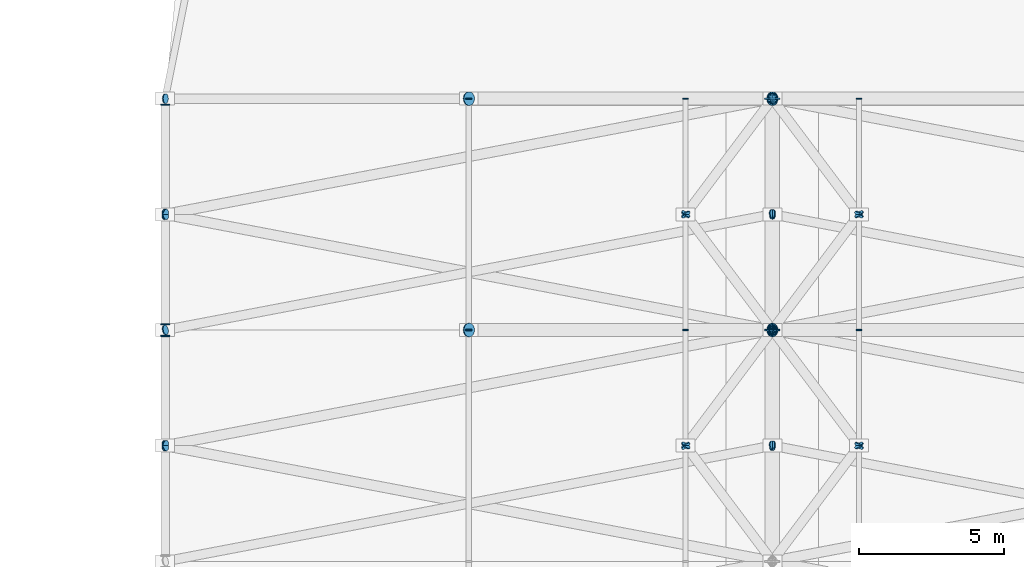
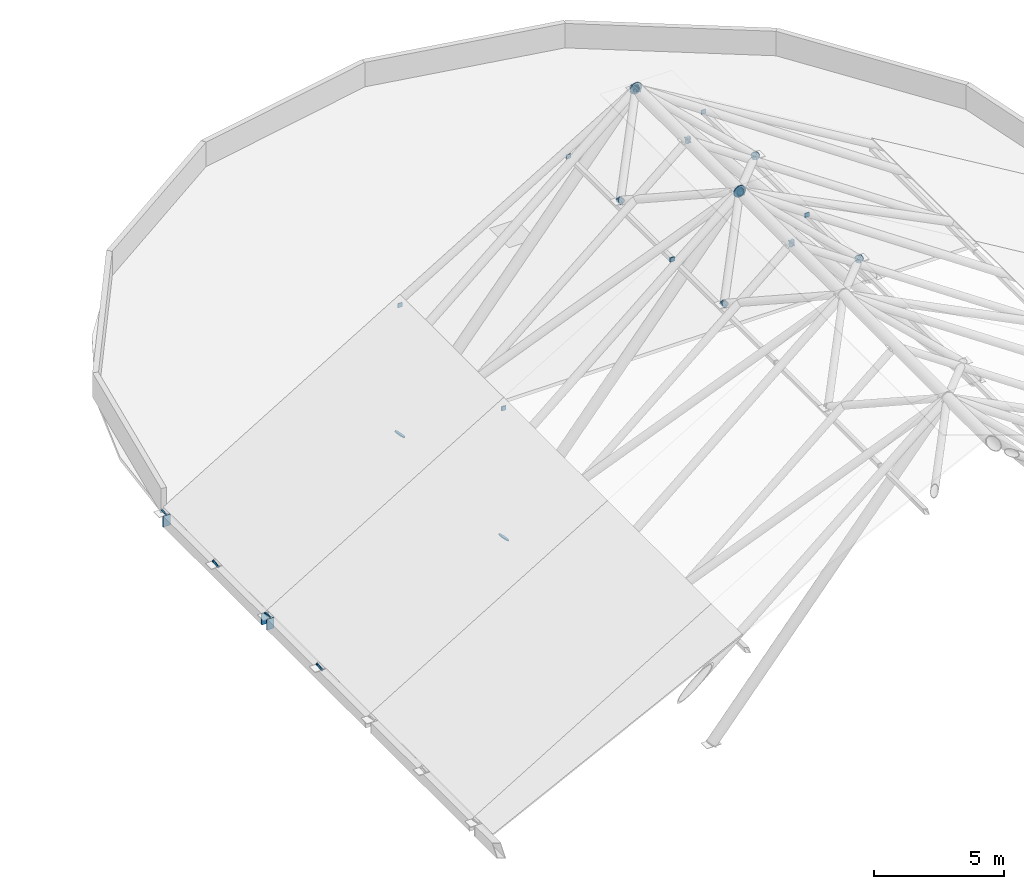
# One storey, part 34 of 44: 53 discrete accessories.
"""IFC4 building model written with IfcOpenShell, lengths in metres."""

from ifc_helpers import new_model, si_unit, direction, frame, origin, origin_2d, place, context, subcontext, project, spatial, rectangle, circle, extrude, material, element, save


model = new_model("IFC4")

# Units and contexts
model_context = context("Model", 3, precision=1e-05, world=origin(), true_north=direction((0.0, 1.0)))
body_context = subcontext(model_context, "Body", "Model", "MODEL_VIEW")
ifc_project = project(units=[si_unit("LENGTHUNIT", "METRE"), si_unit("AREAUNIT", "SQUARE_METRE"), si_unit("VOLUMEUNIT", "CUBIC_METRE"), si_unit("PLANEANGLEUNIT", "RADIAN"), si_unit("MASSUNIT", "GRAM", prefix="KILO")], contexts=[model_context])

# Site, building, storey
site_placement = place(None, origin())
site = spatial("IfcSite", under=ifc_project, at=site_placement, CompositionType="ELEMENT")
building_placement = place(site_placement, origin())
building = spatial("IfcBuilding", under=site, at=building_placement, Name="Marlcrest Central Station", CompositionType="ELEMENT")
storey_placement = place(building_placement, frame((0.0, 0.0, 19.5)))
storey = spatial("IfcBuildingStorey", under=building, at=storey_placement, Name="L04", CompositionType="ELEMENT", Elevation=19.5)

# Discrete accessories
ifc_material = material(Name="Steel S355", Category="steel")
for number, where, z_axis, x_axis, name in (
    (1, (97.490478515625, 102.5, -0.011474609375), (0.640181471429, 0.0, 0.768223719784), (0.0, 1.0, 0.0), "endcap-mem-ST-01-L04-02376-s"),
    (2, (107.98388671875, 102.5, 12.580810546875), (0.640181471429, 0.0, 0.768223719784), (0.0, 1.0, 0.0), "endcap-mem-ST-01-L04-02376-e"),
    (3, (108.01611328125, 102.5, 12.580810546875), (-0.640181471429, 0.0, 0.768223719784), (0.0, -1.0, 0.0), "endcap-mem-ST-01-L04-02377-e"),
    (4, (97.490478515625, 110.5, -0.011474609375), (0.640181471429, 0.0, 0.768223719784), (0.0, 1.0, 0.0), "endcap-mem-ST-01-L04-02378-s"),
    (5, (107.98388671875, 110.5, 12.580810546875), (0.640181471429, 0.0, 0.768223719784), (0.0, 1.0, 0.0), "endcap-mem-ST-01-L04-02378-e"),
    (6, (108.01611328125, 110.5, 12.580810546875), (-0.640181471429, 0.0, 0.768223719784), (0.0, -1.0, 0.0), "endcap-mem-ST-01-L04-02379-e"),
):
    element("IfcDiscreteAccessory", number, at=place(storey_placement, frame(where, z_axis=z_axis, x_axis=x_axis)), inside=storey, material=ifc_material, Name=name, ObjectType="END_CAP_PLATE", PredefinedType="BRACKET", context=body_context, shape_type="SweptSolid", body=[
        extrude(circle(Radius=0.236572265625, at=origin_2d()), origin(), (0.0, 0.0, 1.0), 0.0400390625),
    ])
for number, where, z_axis, x_axis, name in (
    (7, (87.0, 102.275146484375, -0.25), (0.0, 1.0, 0.0), (-1.0, 0.0, 0.0), "endcap-bm-SP-03-L04-01299-e"),
    (8, (87.0, 102.68505859375, -0.25), (0.0, 1.0, 0.0), (-1.0, 0.0, 0.0), "endcap-bm-SP-03-L04-01309-s"),
    (9, (87.0, 110.275146484375, -0.25), (0.0, 1.0, 0.0), (-1.0, 0.0, 0.0), "endcap-bm-SP-03-L04-01309-e"),
):
    element("IfcDiscreteAccessory", number, at=place(storey_placement, frame(where, z_axis=z_axis, x_axis=x_axis)), inside=storey, material=ifc_material, Name=name, ObjectType="END_CAP_PLATE", PredefinedType="BRACKET", context=body_context, shape_type="SweptSolid", body=[
        extrude(rectangle(XDim=0.31591796875, YDim=0.51611328125, at=origin_2d()), origin(), (0.0, 0.0, 1.0), 0.0400390625),
    ])
discrete_accessory_1_placement = place(storey_placement, frame((108.0, 102.47509765625, 12.60009765625), z_axis=(0.0, 1.0, 0.0), x_axis=(-1.0, 0.0, 0.0)))
element("IfcDiscreteAccessory", 10, at=discrete_accessory_1_placement, inside=storey, material=ifc_material, Name="endcap-mem-SC-SP-L04-02515-e", ObjectType="END_CAP_PLATE", PredefinedType="BRACKET", context=body_context, shape_type="SweptSolid", body=[
    extrude(circle(Radius=0.261962890625, at=origin_2d()), origin(), (0.0, 0.0, 1.0), 0.0400390625),
])
discrete_accessory_2_placement = place(storey_placement, frame((105.0, 102.47509765625, 10.449951171875), z_axis=(0.0, 1.0, 0.0), x_axis=(-1.0, 0.0, 0.0)))
element("IfcDiscreteAccessory", 11, at=discrete_accessory_2_placement, inside=storey, material=ifc_material, Name="endcap-mem-PR-03-L04-02516-e", ObjectType="END_CAP_PLATE", PredefinedType="BRACKET", context=body_context, shape_type="SweptSolid", body=[
    extrude(rectangle(XDim=0.196044921875, YDim=0.196044921875, at=origin_2d()), origin(), (0.0, 0.0, 1.0), 0.0400390625),
])
for number, where, z_axis, x_axis, name in (
    (12, (105.01416015625, 98.481201171875, 10.80859375), (-0.564530690126, 0.752707586834, -0.338727602401), (-0.8, -0.6, 0.0), "endcap-mem-FB-02-L04-02517-e"),
    (13, (108.008544921875, 102.51123046875, 12.605224609375), (-0.564530690126, -0.752707586834, -0.338727602401), (0.8, -0.6, 0.0), "endcap-mem-FB-02-L04-02518-s"),
    (14, (105.01416015625, 98.518798828125, 10.80859375), (-0.564530690126, -0.752707586834, -0.338727602401), (0.8, -0.6, 0.0), "endcap-mem-FB-02-L04-02518-e"),
):
    element("IfcDiscreteAccessory", number, at=place(storey_placement, frame(where, z_axis=z_axis, x_axis=x_axis)), inside=storey, material=ifc_material, Name=name, ObjectType="END_CAP_PLATE", PredefinedType="BRACKET", context=body_context, shape_type="SweptSolid", body=[
        extrude(circle(Radius=0.169921875, at=origin_2d()), origin(), (0.0, 0.0, 1.0), 0.0400390625),
    ])
discrete_accessory_3_placement = place(storey_placement, frame((111.0, 102.47509765625, 10.449951171875), z_axis=(0.0, 1.0, 0.0), x_axis=(-1.0, 0.0, 0.0)))
element("IfcDiscreteAccessory", 15, at=discrete_accessory_3_placement, inside=storey, material=ifc_material, Name="endcap-mem-PR-03-L04-02519-e", ObjectType="END_CAP_PLATE", PredefinedType="BRACKET", context=body_context, shape_type="SweptSolid", body=[
    extrude(rectangle(XDim=0.196044921875, YDim=0.196044921875, at=origin_2d()), origin(), (0.0, 0.0, 1.0), 0.0400390625),
])
for number, where, z_axis, x_axis, name in (
    (16, (110.98583984375, 98.481201171875, 10.80859375), (0.564530690126, 0.752707586834, -0.338727602401), (-0.8, 0.6, 0.0), "endcap-mem-FB-02-L04-02520-e"),
    (17, (107.991455078125, 102.51123046875, 12.605224609375), (0.564530690126, -0.752707586834, -0.338727602401), (0.8, 0.6, 0.0), "endcap-mem-FB-02-L04-02521-s"),
    (18, (110.98583984375, 98.518798828125, 10.80859375), (0.564530690126, -0.752707586834, -0.338727602401), (0.8, 0.6, 0.0), "endcap-mem-FB-02-L04-02521-e"),
):
    element("IfcDiscreteAccessory", number, at=place(storey_placement, frame(where, z_axis=z_axis, x_axis=x_axis)), inside=storey, material=ifc_material, Name=name, ObjectType="END_CAP_PLATE", PredefinedType="BRACKET", context=body_context, shape_type="SweptSolid", body=[
        extrude(circle(Radius=0.169921875, at=origin_2d()), origin(), (0.0, 0.0, 1.0), 0.0400390625),
    ])
for number, where, z_axis, x_axis, name in (
    (19, (87.021240234375, 98.495849609375, 0.0126953125), (-0.846277296716, 0.161195675565, -0.507770313471), (-0.18711210789, -0.982338566422, 0.0), "endcap-mem-FB-01-L04-02522-e"),
    (20, (108.0126953125, 102.50244140625, 12.607666015625), (-0.846277296716, -0.161195675565, -0.507770313471), (0.18711210789, -0.982338566422, 0.0), "endcap-mem-FB-01-L04-02523-s"),
    (21, (87.021240234375, 98.504150390625, 0.0126953125), (-0.846277296716, -0.161195675565, -0.507770313471), (0.18711210789, -0.982338566422, 0.0), "endcap-mem-FB-01-L04-02523-e"),
):
    element("IfcDiscreteAccessory", number, at=place(storey_placement, frame(where, z_axis=z_axis, x_axis=x_axis)), inside=storey, material=ifc_material, Name=name, ObjectType="END_CAP_PLATE", PredefinedType="BRACKET", context=body_context, shape_type="SweptSolid", body=[
        extrude(circle(Radius=0.185791015625, at=origin_2d()), origin(), (0.0, 0.0, 1.0), 0.0400390625),
    ])
discrete_accessory_4_placement = place(storey_placement, frame((108.0126953125, 98.50244140625, 12.607666015625), z_axis=(-0.846277296716, -0.161195675565, -0.507770313471), x_axis=(0.18711210789, -0.982338566422, 0.0)))
element("IfcDiscreteAccessory", 22, at=discrete_accessory_4_placement, inside=storey, material=ifc_material, Name="endcap-mem-FB-02-L04-02524-s", ObjectType="END_CAP_PLATE", PredefinedType="BRACKET", context=body_context, shape_type="SweptSolid", body=[
    extrude(circle(Radius=0.169921875, at=origin_2d()), origin(), (0.0, 0.0, 1.0), 0.0400390625),
])
discrete_accessory_5_placement = place(storey_placement, frame((97.5, 102.47509765625, 6.080078125), z_axis=(0.0, 1.0, 0.0), x_axis=(-1.0, 0.0, 0.0)))
element("IfcDiscreteAccessory", 23, at=discrete_accessory_5_placement, inside=storey, material=ifc_material, Name="endcap-mem-PR-03-L04-02525-e", ObjectType="END_CAP_PLATE", PredefinedType="BRACKET", context=body_context, shape_type="SweptSolid", body=[
    extrude(rectangle(XDim=0.196044921875, YDim=0.196044921875, at=origin_2d()), origin(), (0.0, 0.0, 1.0), 0.0400390625),
])
discrete_accessory_6_placement = place(storey_placement, frame((107.9873046875, 102.50244140625, 12.607666015625), z_axis=(0.846277296716, -0.161195675565, -0.507770313471), x_axis=(0.18711210789, 0.982338566422, 0.0)))
element("IfcDiscreteAccessory", 24, at=discrete_accessory_6_placement, inside=storey, material=ifc_material, Name="endcap-mem-FB-01-L04-02527-s", ObjectType="END_CAP_PLATE", PredefinedType="BRACKET", context=body_context, shape_type="SweptSolid", body=[
    extrude(circle(Radius=0.185791015625, at=origin_2d()), origin(), (0.0, 0.0, 1.0), 0.0400390625),
])
discrete_accessory_7_placement = place(storey_placement, frame((107.9873046875, 98.50244140625, 12.607666015625), z_axis=(0.846277296716, -0.161195675565, -0.507770313471), x_axis=(0.18711210789, 0.982338566422, 0.0)))
element("IfcDiscreteAccessory", 25, at=discrete_accessory_7_placement, inside=storey, material=ifc_material, Name="endcap-mem-FB-02-L04-02528-s", ObjectType="END_CAP_PLATE", PredefinedType="BRACKET", context=body_context, shape_type="SweptSolid", body=[
    extrude(circle(Radius=0.169921875, at=origin_2d()), origin(), (0.0, 0.0, 1.0), 0.0400390625),
])
for number, where, z_axis, x_axis, name in (
    (26, (108.0, 102.485107421875, 12.60009765625), (0.0, 1.0, 0.0), (-1.0, 0.0, 0.0), "endcap-mem-SC-SP-L04-02530-s"),
    (27, (108.0, 110.47509765625, 12.60009765625), (0.0, 1.0, 0.0), (-1.0, 0.0, 0.0), "endcap-mem-SC-SP-L04-02530-e"),
):
    element("IfcDiscreteAccessory", number, at=place(storey_placement, frame(where, z_axis=z_axis, x_axis=x_axis)), inside=storey, material=ifc_material, Name=name, ObjectType="END_CAP_PLATE", PredefinedType="BRACKET", context=body_context, shape_type="SweptSolid", body=[
        extrude(circle(Radius=0.261962890625, at=origin_2d()), origin(), (0.0, 0.0, 1.0), 0.0400390625),
    ])
for number, where, z_axis, x_axis, name in (
    (28, (105.0, 102.485107421875, 10.449951171875), (0.0, 1.0, 0.0), (-1.0, 0.0, 0.0), "endcap-mem-PR-03-L04-02531-s"),
    (29, (105.0, 110.47509765625, 10.449951171875), (0.0, 1.0, 0.0), (-1.0, 0.0, 0.0), "endcap-mem-PR-03-L04-02531-e"),
):
    element("IfcDiscreteAccessory", number, at=place(storey_placement, frame(where, z_axis=z_axis, x_axis=x_axis)), inside=storey, material=ifc_material, Name=name, ObjectType="END_CAP_PLATE", PredefinedType="BRACKET", context=body_context, shape_type="SweptSolid", body=[
        extrude(rectangle(XDim=0.196044921875, YDim=0.196044921875, at=origin_2d()), origin(), (0.0, 0.0, 1.0), 0.0400390625),
    ])
for number, where, z_axis, x_axis, name in (
    (30, (108.008544921875, 102.48876953125, 12.605224609375), (-0.564530690126, 0.752707586834, -0.338727602401), (-0.8, -0.6, 0.0), "endcap-mem-FB-02-L04-02532-s"),
    (31, (105.01416015625, 106.481201171875, 10.80859375), (-0.564530690126, 0.752707586834, -0.338727602401), (-0.8, -0.6, 0.0), "endcap-mem-FB-02-L04-02532-e"),
    (32, (108.008544921875, 110.51123046875, 12.605224609375), (-0.564530690126, -0.752707586834, -0.338727602401), (0.8, -0.6, 0.0), "endcap-mem-FB-02-L04-02533-s"),
    (33, (105.01416015625, 106.518798828125, 10.80859375), (-0.564530690126, -0.752707586834, -0.338727602401), (0.8, -0.6, 0.0), "endcap-mem-FB-02-L04-02533-e"),
):
    element("IfcDiscreteAccessory", number, at=place(storey_placement, frame(where, z_axis=z_axis, x_axis=x_axis)), inside=storey, material=ifc_material, Name=name, ObjectType="END_CAP_PLATE", PredefinedType="BRACKET", context=body_context, shape_type="SweptSolid", body=[
        extrude(circle(Radius=0.169921875, at=origin_2d()), origin(), (0.0, 0.0, 1.0), 0.0400390625),
    ])
for number, where, z_axis, x_axis, name in (
    (34, (111.0, 102.485107421875, 10.449951171875), (0.0, 1.0, 0.0), (-1.0, 0.0, 0.0), "endcap-mem-PR-03-L04-02534-s"),
    (35, (111.0, 110.47509765625, 10.449951171875), (0.0, 1.0, 0.0), (-1.0, 0.0, 0.0), "endcap-mem-PR-03-L04-02534-e"),
):
    element("IfcDiscreteAccessory", number, at=place(storey_placement, frame(where, z_axis=z_axis, x_axis=x_axis)), inside=storey, material=ifc_material, Name=name, ObjectType="END_CAP_PLATE", PredefinedType="BRACKET", context=body_context, shape_type="SweptSolid", body=[
        extrude(rectangle(XDim=0.196044921875, YDim=0.196044921875, at=origin_2d()), origin(), (0.0, 0.0, 1.0), 0.0400390625),
    ])
for number, where, z_axis, x_axis, name in (
    (36, (107.991455078125, 102.48876953125, 12.605224609375), (0.564530690126, 0.752707586834, -0.338727602401), (-0.8, 0.6, 0.0), "endcap-mem-FB-02-L04-02535-s"),
    (37, (110.98583984375, 106.481201171875, 10.80859375), (0.564530690126, 0.752707586834, -0.338727602401), (-0.8, 0.6, 0.0), "endcap-mem-FB-02-L04-02535-e"),
    (38, (107.991455078125, 110.51123046875, 12.605224609375), (0.564530690126, -0.752707586834, -0.338727602401), (0.8, 0.6, 0.0), "endcap-mem-FB-02-L04-02536-s"),
    (39, (110.98583984375, 106.518798828125, 10.80859375), (0.564530690126, -0.752707586834, -0.338727602401), (0.8, 0.6, 0.0), "endcap-mem-FB-02-L04-02536-e"),
):
    element("IfcDiscreteAccessory", number, at=place(storey_placement, frame(where, z_axis=z_axis, x_axis=x_axis)), inside=storey, material=ifc_material, Name=name, ObjectType="END_CAP_PLATE", PredefinedType="BRACKET", context=body_context, shape_type="SweptSolid", body=[
        extrude(circle(Radius=0.169921875, at=origin_2d()), origin(), (0.0, 0.0, 1.0), 0.0400390625),
    ])
for number, where, z_axis, x_axis, name in (
    (40, (108.0126953125, 102.49755859375, 12.607666015625), (-0.846277296716, 0.161195675565, -0.507770313471), (-0.18711210789, -0.982338566422, 0.0), "endcap-mem-FB-01-L04-02537-s"),
    (41, (87.021240234375, 106.495849609375, 0.0126953125), (-0.846277296716, 0.161195675565, -0.507770313471), (-0.18711210789, -0.982338566422, 0.0), "endcap-mem-FB-01-L04-02537-e"),
    (42, (108.0126953125, 110.50244140625, 12.607666015625), (-0.846277296716, -0.161195675565, -0.507770313471), (0.18711210789, -0.982338566422, 0.0), "endcap-mem-FB-01-L04-02538-s"),
    (43, (87.021240234375, 106.504150390625, 0.0126953125), (-0.846277296716, -0.161195675565, -0.507770313471), (0.18711210789, -0.982338566422, 0.0), "endcap-mem-FB-01-L04-02538-e"),
):
    element("IfcDiscreteAccessory", number, at=place(storey_placement, frame(where, z_axis=z_axis, x_axis=x_axis)), inside=storey, material=ifc_material, Name=name, ObjectType="END_CAP_PLATE", PredefinedType="BRACKET", context=body_context, shape_type="SweptSolid", body=[
        extrude(circle(Radius=0.185791015625, at=origin_2d()), origin(), (0.0, 0.0, 1.0), 0.0400390625),
    ])
for number, where, z_axis, x_axis, name in (
    (44, (108.0126953125, 106.50244140625, 12.607666015625), (-0.846277296716, -0.161195675565, -0.507770313471), (0.18711210789, -0.982338566422, 0.0), "endcap-mem-FB-02-L04-02539-s"),
    (45, (87.021240234375, 102.504150390625, 0.0126953125), (-0.846277296716, -0.161195675565, -0.507770313471), (0.18711210789, -0.982338566422, 0.0), "endcap-mem-FB-02-L04-02539-e"),
):
    element("IfcDiscreteAccessory", number, at=place(storey_placement, frame(where, z_axis=z_axis, x_axis=x_axis)), inside=storey, material=ifc_material, Name=name, ObjectType="END_CAP_PLATE", PredefinedType="BRACKET", context=body_context, shape_type="SweptSolid", body=[
        extrude(circle(Radius=0.169921875, at=origin_2d()), origin(), (0.0, 0.0, 1.0), 0.0400390625),
    ])
for number, where, z_axis, x_axis, name in (
    (46, (97.5, 102.485107421875, 6.080078125), (0.0, 1.0, 0.0), (-1.0, 0.0, 0.0), "endcap-mem-PR-03-L04-02540-s"),
    (47, (97.5, 110.47509765625, 6.080078125), (0.0, 1.0, 0.0), (-1.0, 0.0, 0.0), "endcap-mem-PR-03-L04-02540-e"),
):
    element("IfcDiscreteAccessory", number, at=place(storey_placement, frame(where, z_axis=z_axis, x_axis=x_axis)), inside=storey, material=ifc_material, Name=name, ObjectType="END_CAP_PLATE", PredefinedType="BRACKET", context=body_context, shape_type="SweptSolid", body=[
        extrude(rectangle(XDim=0.196044921875, YDim=0.196044921875, at=origin_2d()), origin(), (0.0, 0.0, 1.0), 0.0400390625),
    ])
for number, where, z_axis, x_axis, name in (
    (48, (107.9873046875, 102.49755859375, 12.607666015625), (0.846277296716, 0.161195675565, -0.507770313471), (-0.18711210789, 0.982338566422, 0.0), "endcap-mem-FB-01-L04-02541-s"),
    (49, (107.9873046875, 110.50244140625, 12.607666015625), (0.846277296716, -0.161195675565, -0.507770313471), (0.18711210789, 0.982338566422, 0.0), "endcap-mem-FB-01-L04-02542-s"),
):
    element("IfcDiscreteAccessory", number, at=place(storey_placement, frame(where, z_axis=z_axis, x_axis=x_axis)), inside=storey, material=ifc_material, Name=name, ObjectType="END_CAP_PLATE", PredefinedType="BRACKET", context=body_context, shape_type="SweptSolid", body=[
        extrude(circle(Radius=0.185791015625, at=origin_2d()), origin(), (0.0, 0.0, 1.0), 0.0400390625),
    ])
for number, where, z_axis, x_axis, name in (
    (50, (107.9873046875, 106.50244140625, 12.607666015625), (0.846277296716, -0.161195675565, -0.507770313471), (0.18711210789, 0.982338566422, 0.0), "endcap-mem-FB-02-L04-02543-s"),
    (51, (108.012939453125, 110.5, 12.60791015625), (-0.857491166477, 0.0, -0.514498687475), (0.0, -1.0, 0.0), "endcap-mem-FB-02-L04-02545-s"),
    (52, (87.021484375, 110.5, 0.012939453125), (-0.857491166477, 0.0, -0.514498687475), (0.0, -1.0, 0.0), "endcap-mem-FB-02-L04-02545-e"),
    (53, (107.987060546875, 110.5, 12.60791015625), (0.857491166477, 0.0, -0.514498687475), (0.0, 1.0, 0.0), "endcap-mem-FB-02-L04-02546-s"),
):
    element("IfcDiscreteAccessory", number, at=place(storey_placement, frame(where, z_axis=z_axis, x_axis=x_axis)), inside=storey, material=ifc_material, Name=name, ObjectType="END_CAP_PLATE", PredefinedType="BRACKET", context=body_context, shape_type="SweptSolid", body=[
        extrude(circle(Radius=0.169921875, at=origin_2d()), origin(), (0.0, 0.0, 1.0), 0.0400390625),
    ])

save(model, "model.ifc")
